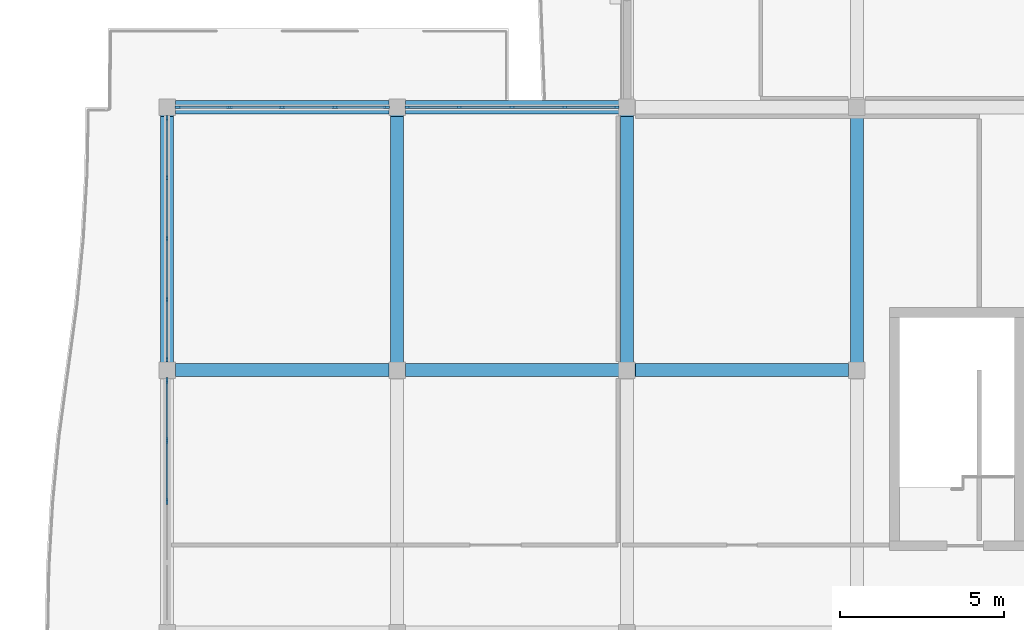
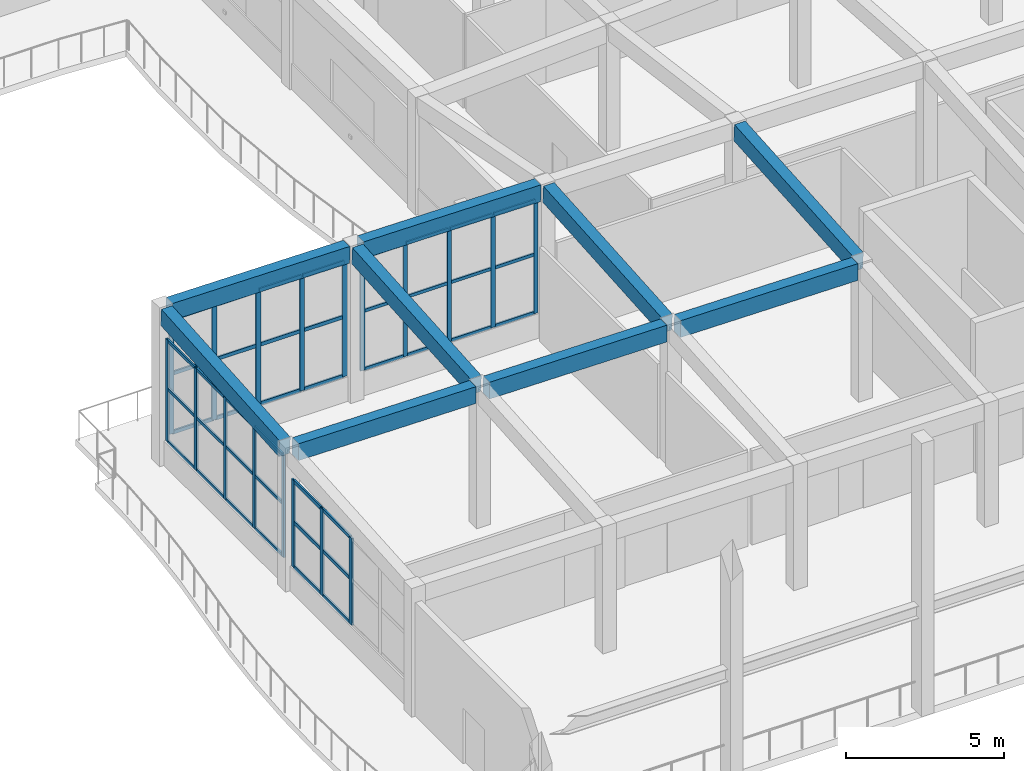
# One storey, part 34 of 89: 60 members, 9 beams, 4 elements without a shape of their own.
"""IFC4 building model written with IfcOpenShell, lengths in metres."""

from ifc_helpers import new_model, si_unit, direction, frame, origin, origin_2d, place, context, subcontext, project, spatial, rectangle, extrude, material, layer, layer_set, material_profile, profile_set, type_object, element, aggregate, save


model = new_model("IFC4")

# Units and contexts
model_context = context("Model", 3, precision=1e-05, world=origin(), true_north=direction((0.0, 1.0)))
body_context = subcontext(model_context, "Body", "Model", "MODEL_VIEW")
ifc_project = project(units=[si_unit("LENGTHUNIT", "METRE"), si_unit("AREAUNIT", "SQUARE_METRE"), si_unit("VOLUMEUNIT", "CUBIC_METRE"), si_unit("PLANEANGLEUNIT", "RADIAN"), si_unit("MASSUNIT", "GRAM", prefix="KILO")], contexts=[model_context])

# Site, building, storey
site_placement = place(None, origin())
site = spatial("IfcSite", under=ifc_project, at=site_placement, CompositionType="ELEMENT")
building_placement = place(site_placement, origin())
building = spatial("IfcBuilding", under=site, at=building_placement, Name="Tonlespit Floodbar School", CompositionType="ELEMENT")
storey_placement = place(building_placement, frame((0.0, 0.0, 4.5)))
storey = spatial("IfcBuildingStorey", under=building, at=storey_placement, Name="L01", CompositionType="ELEMENT", Elevation=4.5)

# Beams
ifc_material_1 = material(Name="Concrete C40/50", Category="concrete")
ifc_material_profile_1 = material_profile(ifc_material_1, rectangle(XDim=0.39990234375, YDim=0.64990234375, at=origin_2d()), Name="RC 400x650")
ifc_profile_set_1 = profile_set([ifc_material_profile_1], Name="Concrete C40/50")
beam_type = type_object("IfcBeamType", Name="Beam_RC_400x650", PredefinedType="BEAM", material=ifc_profile_set_1)
for number, where, z_axis, x_axis, name in (
    (1, (134.25, 72.0, 5.21337890625), (0.999955563291, 0.0, -0.009427165204), (0.0, 1.0, 0.0), "L01 girder 0589"),
    (2, (141.25, 72.0, 5.1474609375), (0.999955563291, 0.0, -0.009427165204), (0.0, 1.0, 0.0), "L01 girder 0590"),
    (3, (148.25, 72.0, 5.08154296875), (0.999955916639, 0.0, -0.009389610095), (0.0, 1.0, 0.0), "L01 girder 0591"),
    (4, (134.25, 80.0, 5.798583984375), (0.999955916639, 0.0, -0.009389610095), (0.0, 1.0, 0.0), "L01 girder 0598"),
    (5, (141.25, 80.0, 5.73291015625), (0.999955563291, 0.0, -0.009427165204), (0.0, 1.0, 0.0), "L01 girder 0599"),
):
    element("IfcBeam", number, at=place(storey_placement, frame(where, z_axis=z_axis, x_axis=x_axis)), inside=storey, type_object=beam_type, Name=name, PredefinedType="BEAM", context=body_context, shape_type="SweptSolid", body=[
        extrude(rectangle(XDim=0.39990234375, YDim=0.64990234375, at=origin_2d()), origin(), (0.0, 0.0, 1.0), 6.500244140625),
    ])
for number, where, z_axis, x_axis, name in (
    (6, (134.0, 72.25, 5.23388671875), (0.0, 0.997333262526, 0.072981939263), (-1.0, 0.0, 0.0), "L01 girder 0747"),
    (7, (141.0, 72.25, 5.168212890625), (0.0, 0.997335625069, 0.072949646795), (-1.0, 0.0, 0.0), "L01 girder 0751"),
    (8, (148.0, 72.25, 5.102294921875), (0.0, 0.997335625069, 0.072949646795), (-1.0, 0.0, 0.0), "L01 girder 0755"),
    (9, (155.0, 72.25, 5.036376953125), (0.0, 0.997333262526, 0.072981939263), (-1.0, 0.0, 0.0), "L01 girder 0762"),
):
    element("IfcBeam", number, at=place(storey_placement, frame(where, z_axis=z_axis, x_axis=x_axis)), inside=storey, type_object=beam_type, Name=name, PredefinedType="BEAM", context=body_context, shape_type="SweptSolid", body=[
        extrude(rectangle(XDim=0.39990234375, YDim=0.64990234375, at=origin_2d()), origin(), (0.0, 0.0, 1.0), 7.52001953125),
    ])

# Curtain wall, members
ifc_material_2 = material(Name="Anodised Aluminium", Category="aluminium")
ifc_layer_1 = layer(ifc_material_2, 0.159912109375)
ifc_layer_set_1 = layer_set([ifc_layer_1], Name="Anodised Aluminium")
curtain_wall_type_1 = type_object("IfcCurtainWallType", Name="CurtainWall_7400x3950", PredefinedType="NOTDEFINED", material=ifc_layer_set_1)
curtain_wall_1_placement = place(storey_placement, origin())
curtain_wall_1 = element("IfcCurtainWall", 10, at=curtain_wall_1_placement, inside=storey, type_object=curtain_wall_type_1, Name="L01 unitised curtain wall 0336", PredefinedType="NOTDEFINED")
ifc_material_profile_2 = material_profile(ifc_material_2, rectangle(XDim=0.06494140625, YDim=0.14990234375, at=origin_2d()), Name="ALU M65x150")
ifc_profile_set_2 = profile_set([ifc_material_profile_2], Name="Anodised Aluminium")
member_type_1 = type_object("IfcMemberType", Name="CW_Mullion_65x150", PredefinedType="MULLION", material=ifc_profile_set_2)
member_1_placement = place(storey_placement, frame((134.0, 72.322509765625, 0.949951171875), z_axis=(0.0, 0.0, 1.0), x_axis=(-1.0, 0.0, 0.0)))
member_1 = element("IfcMember", 11, at=member_1_placement, type_object=member_type_1, Name="CW-55 mullion 1", PredefinedType="MULLION", context=body_context, shape_type="SweptSolid", body=[
    extrude(rectangle(XDim=0.06494140625, YDim=0.14990234375, at=origin_2d()), origin(), (0.0, 0.0, 1.0), 3.958984375),
])
member_2_placement = place(storey_placement, frame((134.0, 74.14501953125, 0.949951171875), z_axis=(0.0, 0.0, 1.0), x_axis=(-1.0, 0.0, 0.0)))
member_2 = element("IfcMember", 12, at=member_2_placement, type_object=member_type_1, Name="CW-55 mullion 2", PredefinedType="MULLION", context=body_context, shape_type="SweptSolid", body=[
    extrude(rectangle(XDim=0.06494140625, YDim=0.14990234375, at=origin_2d()), origin(), (0.0, 0.0, 1.0), 3.958984375),
])
member_3_placement = place(storey_placement, frame((134.0, 76.0, 0.949951171875), z_axis=(0.0, 0.0, 1.0), x_axis=(-1.0, 0.0, 0.0)))
member_3 = element("IfcMember", 13, at=member_3_placement, type_object=member_type_1, Name="CW-55 mullion 3", PredefinedType="MULLION", context=body_context, shape_type="SweptSolid", body=[
    extrude(rectangle(XDim=0.06494140625, YDim=0.14990234375, at=origin_2d()), origin(), (0.0, 0.0, 1.0), 3.958984375),
])
member_4_placement = place(storey_placement, frame((134.0, 77.85498046875, 0.949951171875), z_axis=(0.0, 0.0, 1.0), x_axis=(-1.0, 0.0, 0.0)))
member_4 = element("IfcMember", 14, at=member_4_placement, type_object=member_type_1, Name="CW-55 mullion 4", PredefinedType="MULLION", context=body_context, shape_type="SweptSolid", body=[
    extrude(rectangle(XDim=0.06494140625, YDim=0.14990234375, at=origin_2d()), origin(), (0.0, 0.0, 1.0), 3.958984375),
])
member_5_placement = place(storey_placement, frame((134.0, 79.677490234375, 0.949951171875), z_axis=(0.0, 0.0, 1.0), x_axis=(-1.0, 0.0, 0.0)))
member_5 = element("IfcMember", 15, at=member_5_placement, type_object=member_type_1, Name="CW-55 mullion 5", PredefinedType="MULLION", context=body_context, shape_type="SweptSolid", body=[
    extrude(rectangle(XDim=0.06494140625, YDim=0.14990234375, at=origin_2d()), origin(), (0.0, 0.0, 1.0), 3.958984375),
])

ifc_layer_2 = layer(ifc_material_2, 0.159912109375)
ifc_layer_set_2 = layer_set([ifc_layer_2], Name="Anodised Aluminium")
curtain_wall_type_2 = type_object("IfcCurtainWallType", Name="CurtainWall_6400x4400", PredefinedType="NOTDEFINED", material=ifc_layer_set_2)
curtain_wall_2_placement = place(storey_placement, origin())
curtain_wall_2 = element("IfcCurtainWall", 16, at=curtain_wall_2_placement, inside=storey, type_object=curtain_wall_type_2, Name="L01 unitised curtain wall 0338", PredefinedType="NOTDEFINED")
member_6_placement = place(storey_placement, frame((141.322509765625, 80.0, 0.949951171875), z_axis=(0.0, 0.0, 1.0), x_axis=(0.0, 1.0, 0.0)))
member_6 = element("IfcMember", 17, at=member_6_placement, type_object=member_type_1, Name="CW-57 mullion 1", PredefinedType="MULLION", context=body_context, shape_type="SweptSolid", body=[
    extrude(rectangle(XDim=0.06494140625, YDim=0.14990234375, at=origin_2d()), origin(), (0.0, 0.0, 1.0), 4.396728515625),
])
member_7_placement = place(storey_placement, frame((142.89501953125, 80.0, 0.949951171875), z_axis=(0.0, 0.0, 1.0), x_axis=(0.0, 1.0, 0.0)))
member_7 = element("IfcMember", 18, at=member_7_placement, type_object=member_type_1, Name="CW-57 mullion 2", PredefinedType="MULLION", context=body_context, shape_type="SweptSolid", body=[
    extrude(rectangle(XDim=0.06494140625, YDim=0.14990234375, at=origin_2d()), origin(), (0.0, 0.0, 1.0), 4.396728515625),
])
member_8_placement = place(storey_placement, frame((144.5, 80.0, 0.949951171875), z_axis=(0.0, 0.0, 1.0), x_axis=(0.0, 1.0, 0.0)))
member_8 = element("IfcMember", 19, at=member_8_placement, type_object=member_type_1, Name="CW-57 mullion 3", PredefinedType="MULLION", context=body_context, shape_type="SweptSolid", body=[
    extrude(rectangle(XDim=0.06494140625, YDim=0.14990234375, at=origin_2d()), origin(), (0.0, 0.0, 1.0), 4.396728515625),
])
member_9_placement = place(storey_placement, frame((146.10498046875, 80.0, 0.949951171875), z_axis=(0.0, 0.0, 1.0), x_axis=(0.0, 1.0, 0.0)))
member_9 = element("IfcMember", 20, at=member_9_placement, type_object=member_type_1, Name="CW-57 mullion 4", PredefinedType="MULLION", context=body_context, shape_type="SweptSolid", body=[
    extrude(rectangle(XDim=0.06494140625, YDim=0.14990234375, at=origin_2d()), origin(), (0.0, 0.0, 1.0), 4.396728515625),
])
member_10_placement = place(storey_placement, frame((147.677490234375, 80.0, 0.949951171875), z_axis=(0.0, 0.0, 1.0), x_axis=(0.0, 1.0, 0.0)))
member_10 = element("IfcMember", 21, at=member_10_placement, type_object=member_type_1, Name="CW-57 mullion 5", PredefinedType="MULLION", context=body_context, shape_type="SweptSolid", body=[
    extrude(rectangle(XDim=0.06494140625, YDim=0.14990234375, at=origin_2d()), origin(), (0.0, 0.0, 1.0), 4.396728515625),
])

ifc_layer_3 = layer(ifc_material_2, 0.159912109375)
ifc_layer_set_3 = layer_set([ifc_layer_3], Name="Anodised Aluminium")
curtain_wall_type_3 = type_object("IfcCurtainWallType", Name="CurtainWall_7400x3350", PredefinedType="NOTDEFINED", material=ifc_layer_set_3)
curtain_wall_3_placement = place(storey_placement, origin())
curtain_wall_3 = element("IfcCurtainWall", 22, at=curtain_wall_3_placement, inside=storey, type_object=curtain_wall_type_3, Name="L01 unitised curtain wall 0335", PredefinedType="NOTDEFINED")
ifc_material_profile_3 = material_profile(ifc_material_2, rectangle(XDim=0.06494140625, YDim=0.179931640625, at=origin_2d()), Name="ALU M65x180")
ifc_profile_set_3 = profile_set([ifc_material_profile_3], Name="Anodised Aluminium")
member_type_2 = type_object("IfcMemberType", Name="CW_Mullion_65x180", PredefinedType="MULLION", material=ifc_profile_set_3)
member_11_placement = place(storey_placement, frame((134.0, 68.0, 0.949951171875), z_axis=(0.0, 0.0, 1.0), x_axis=(-1.0, 0.0, 0.0)))
member_11 = element("IfcMember", 23, at=member_11_placement, type_object=member_type_2, Name="CW-54 mullion 3", PredefinedType="MULLION", context=body_context, shape_type="SweptSolid", body=[
    extrude(rectangle(XDim=0.06494140625, YDim=0.179931640625, at=origin_2d()), origin(), (0.0, 0.0, 1.0), 3.373779296875),
])
member_12_placement = place(storey_placement, frame((134.0, 69.85498046875, 0.949951171875), z_axis=(0.0, 0.0, 1.0), x_axis=(-1.0, 0.0, 0.0)))
member_12 = element("IfcMember", 24, at=member_12_placement, type_object=member_type_2, Name="CW-54 mullion 4", PredefinedType="MULLION", context=body_context, shape_type="SweptSolid", body=[
    extrude(rectangle(XDim=0.06494140625, YDim=0.179931640625, at=origin_2d()), origin(), (0.0, 0.0, 1.0), 3.373779296875),
])
member_13_placement = place(storey_placement, frame((134.0, 71.677490234375, 0.949951171875), z_axis=(0.0, 0.0, 1.0), x_axis=(-1.0, 0.0, 0.0)))
member_13 = element("IfcMember", 25, at=member_13_placement, type_object=member_type_2, Name="CW-54 mullion 5", PredefinedType="MULLION", context=body_context, shape_type="SweptSolid", body=[
    extrude(rectangle(XDim=0.06494140625, YDim=0.179931640625, at=origin_2d()), origin(), (0.0, 0.0, 1.0), 3.373779296875),
])

ifc_layer_4 = layer(ifc_material_2, 0.159912109375)
ifc_layer_set_4 = layer_set([ifc_layer_4], Name="Anodised Aluminium")
curtain_wall_type_4 = type_object("IfcCurtainWallType", Name="CurtainWall_6400x4450", PredefinedType="NOTDEFINED", material=ifc_layer_set_4)
curtain_wall_4_placement = place(storey_placement, origin())
curtain_wall_4 = element("IfcCurtainWall", 26, at=curtain_wall_4_placement, inside=storey, type_object=curtain_wall_type_4, Name="L01 unitised curtain wall 0337", PredefinedType="NOTDEFINED")
member_14_placement = place(storey_placement, frame((134.322509765625, 80.0, 0.949951171875), z_axis=(0.0, 0.0, 1.0), x_axis=(0.0, 1.0, 0.0)))
member_14 = element("IfcMember", 27, at=member_14_placement, type_object=member_type_2, Name="CW-56 mullion 1", PredefinedType="MULLION", context=body_context, shape_type="SweptSolid", body=[
    extrude(rectangle(XDim=0.06494140625, YDim=0.179931640625, at=origin_2d()), origin(), (0.0, 0.0, 1.0), 4.462646484375),
])
member_15_placement = place(storey_placement, frame((135.89501953125, 80.0, 0.949951171875), z_axis=(0.0, 0.0, 1.0), x_axis=(0.0, 1.0, 0.0)))
member_15 = element("IfcMember", 28, at=member_15_placement, type_object=member_type_2, Name="CW-56 mullion 2", PredefinedType="MULLION", context=body_context, shape_type="SweptSolid", body=[
    extrude(rectangle(XDim=0.06494140625, YDim=0.179931640625, at=origin_2d()), origin(), (0.0, 0.0, 1.0), 4.462646484375),
])
member_16_placement = place(storey_placement, frame((137.5, 80.0, 0.949951171875), z_axis=(0.0, 0.0, 1.0), x_axis=(0.0, 1.0, 0.0)))
member_16 = element("IfcMember", 29, at=member_16_placement, type_object=member_type_2, Name="CW-56 mullion 3", PredefinedType="MULLION", context=body_context, shape_type="SweptSolid", body=[
    extrude(rectangle(XDim=0.06494140625, YDim=0.179931640625, at=origin_2d()), origin(), (0.0, 0.0, 1.0), 4.462646484375),
])
member_17_placement = place(storey_placement, frame((139.10498046875, 80.0, 0.949951171875), z_axis=(0.0, 0.0, 1.0), x_axis=(0.0, 1.0, 0.0)))
member_17 = element("IfcMember", 30, at=member_17_placement, type_object=member_type_2, Name="CW-56 mullion 4", PredefinedType="MULLION", context=body_context, shape_type="SweptSolid", body=[
    extrude(rectangle(XDim=0.06494140625, YDim=0.179931640625, at=origin_2d()), origin(), (0.0, 0.0, 1.0), 4.462646484375),
])
member_18_placement = place(storey_placement, frame((140.677490234375, 80.0, 0.949951171875), z_axis=(0.0, 0.0, 1.0), x_axis=(0.0, 1.0, 0.0)))
member_18 = element("IfcMember", 31, at=member_18_placement, type_object=member_type_2, Name="CW-56 mullion 5", PredefinedType="MULLION", context=body_context, shape_type="SweptSolid", body=[
    extrude(rectangle(XDim=0.06494140625, YDim=0.179931640625, at=origin_2d()), origin(), (0.0, 0.0, 1.0), 4.462646484375),
])

# Member
ifc_material_profile_4 = material_profile(ifc_material_2, rectangle(XDim=0.06494140625, YDim=0.1201171875, at=origin_2d()), Name="ALU T65x120")
ifc_profile_set_4 = profile_set([ifc_material_profile_4], Name="Anodised Aluminium")
member_type_3 = type_object("IfcMemberType", Name="CW_Transom_65x120", PredefinedType="USERDEFINED", material=ifc_profile_set_4)
member_19_placement = place(storey_placement, frame((134.0, 72.35498046875, 0.982421875), z_axis=(0.0, 1.0, 0.0), x_axis=(-1.0, 0.0, 0.0)))
member_19 = element("IfcMember", 32, at=member_19_placement, type_object=member_type_3, Name="CW-55 transom 1.1", ObjectType="TRANSOM", PredefinedType="USERDEFINED", context=body_context, shape_type="SweptSolid", body=[
    extrude(rectangle(XDim=0.06494140625, YDim=0.1201171875, at=origin_2d()), origin(), (0.0, 0.0, 1.0), 1.757568359375),
])

member_20_placement = place(storey_placement, frame((134.0, 72.35498046875, 3.0087890625), z_axis=(0.0, 1.0, 0.0), x_axis=(-1.0, 0.0, 0.0)))
member_20 = element("IfcMember", 33, at=member_20_placement, type_object=member_type_3, Name="CW-55 transom 1.2", ObjectType="TRANSOM", PredefinedType="USERDEFINED", context=body_context, shape_type="SweptSolid", body=[
    extrude(rectangle(XDim=0.06494140625, YDim=0.1201171875, at=origin_2d()), origin(), (0.0, 0.0, 1.0), 1.757568359375),
])

member_21_placement = place(storey_placement, frame((134.0, 72.35498046875, 4.87646484375), z_axis=(0.0, 1.0, 0.0), x_axis=(-1.0, 0.0, 0.0)))
member_21 = element("IfcMember", 34, at=member_21_placement, type_object=member_type_3, Name="CW-55 transom 1.3", ObjectType="TRANSOM", PredefinedType="USERDEFINED", context=body_context, shape_type="SweptSolid", body=[
    extrude(rectangle(XDim=0.06494140625, YDim=0.1201171875, at=origin_2d()), origin(), (0.0, 0.0, 1.0), 1.757568359375),
])

member_22_placement = place(storey_placement, frame((134.0, 74.177490234375, 0.982421875), z_axis=(0.0, 1.0, 0.0), x_axis=(-1.0, 0.0, 0.0)))
member_22 = element("IfcMember", 35, at=member_22_placement, type_object=member_type_3, Name="CW-55 transom 2.1", ObjectType="TRANSOM", PredefinedType="USERDEFINED", context=body_context, shape_type="SweptSolid", body=[
    extrude(rectangle(XDim=0.06494140625, YDim=0.1201171875, at=origin_2d()), origin(), (0.0, 0.0, 1.0), 1.7900390625),
])

member_23_placement = place(storey_placement, frame((134.0, 74.177490234375, 3.0087890625), z_axis=(0.0, 1.0, 0.0), x_axis=(-1.0, 0.0, 0.0)))
member_23 = element("IfcMember", 36, at=member_23_placement, type_object=member_type_3, Name="CW-55 transom 2.2", ObjectType="TRANSOM", PredefinedType="USERDEFINED", context=body_context, shape_type="SweptSolid", body=[
    extrude(rectangle(XDim=0.06494140625, YDim=0.1201171875, at=origin_2d()), origin(), (0.0, 0.0, 1.0), 1.7900390625),
])

member_24_placement = place(storey_placement, frame((134.0, 74.177490234375, 4.87646484375), z_axis=(0.0, 1.0, 0.0), x_axis=(-1.0, 0.0, 0.0)))
member_24 = element("IfcMember", 37, at=member_24_placement, type_object=member_type_3, Name="CW-55 transom 2.3", ObjectType="TRANSOM", PredefinedType="USERDEFINED", context=body_context, shape_type="SweptSolid", body=[
    extrude(rectangle(XDim=0.06494140625, YDim=0.1201171875, at=origin_2d()), origin(), (0.0, 0.0, 1.0), 1.7900390625),
])

member_25_placement = place(storey_placement, frame((134.0, 76.032470703125, 0.982421875), z_axis=(0.0, 1.0, 0.0), x_axis=(-1.0, 0.0, 0.0)))
member_25 = element("IfcMember", 38, at=member_25_placement, type_object=member_type_3, Name="CW-55 transom 3.1", ObjectType="TRANSOM", PredefinedType="USERDEFINED", context=body_context, shape_type="SweptSolid", body=[
    extrude(rectangle(XDim=0.06494140625, YDim=0.1201171875, at=origin_2d()), origin(), (0.0, 0.0, 1.0), 1.7900390625),
])

member_26_placement = place(storey_placement, frame((134.0, 76.032470703125, 3.0087890625), z_axis=(0.0, 1.0, 0.0), x_axis=(-1.0, 0.0, 0.0)))
member_26 = element("IfcMember", 39, at=member_26_placement, type_object=member_type_3, Name="CW-55 transom 3.2", ObjectType="TRANSOM", PredefinedType="USERDEFINED", context=body_context, shape_type="SweptSolid", body=[
    extrude(rectangle(XDim=0.06494140625, YDim=0.1201171875, at=origin_2d()), origin(), (0.0, 0.0, 1.0), 1.7900390625),
])

member_27_placement = place(storey_placement, frame((134.0, 76.032470703125, 4.87646484375), z_axis=(0.0, 1.0, 0.0), x_axis=(-1.0, 0.0, 0.0)))
member_27 = element("IfcMember", 40, at=member_27_placement, type_object=member_type_3, Name="CW-55 transom 3.3", ObjectType="TRANSOM", PredefinedType="USERDEFINED", context=body_context, shape_type="SweptSolid", body=[
    extrude(rectangle(XDim=0.06494140625, YDim=0.1201171875, at=origin_2d()), origin(), (0.0, 0.0, 1.0), 1.7900390625),
])

member_28_placement = place(storey_placement, frame((134.0, 77.887451171875, 0.982421875), z_axis=(0.0, 1.0, 0.0), x_axis=(-1.0, 0.0, 0.0)))
member_28 = element("IfcMember", 41, at=member_28_placement, type_object=member_type_3, Name="CW-55 transom 4.1", ObjectType="TRANSOM", PredefinedType="USERDEFINED", context=body_context, shape_type="SweptSolid", body=[
    extrude(rectangle(XDim=0.06494140625, YDim=0.1201171875, at=origin_2d()), origin(), (0.0, 0.0, 1.0), 1.757568359375),
])

member_29_placement = place(storey_placement, frame((134.0, 77.887451171875, 3.0087890625), z_axis=(0.0, 1.0, 0.0), x_axis=(-1.0, 0.0, 0.0)))
member_29 = element("IfcMember", 42, at=member_29_placement, type_object=member_type_3, Name="CW-55 transom 4.2", ObjectType="TRANSOM", PredefinedType="USERDEFINED", context=body_context, shape_type="SweptSolid", body=[
    extrude(rectangle(XDim=0.06494140625, YDim=0.1201171875, at=origin_2d()), origin(), (0.0, 0.0, 1.0), 1.757568359375),
])

member_30_placement = place(storey_placement, frame((134.0, 77.887451171875, 4.87646484375), z_axis=(0.0, 1.0, 0.0), x_axis=(-1.0, 0.0, 0.0)))
member_30 = element("IfcMember", 43, at=member_30_placement, type_object=member_type_3, Name="CW-55 transom 4.3", ObjectType="TRANSOM", PredefinedType="USERDEFINED", context=body_context, shape_type="SweptSolid", body=[
    extrude(rectangle(XDim=0.06494140625, YDim=0.1201171875, at=origin_2d()), origin(), (0.0, 0.0, 1.0), 1.757568359375),
])

aggregate(curtain_wall_1, [member_1, member_2, member_3, member_4, member_5, member_19, member_20, member_21, member_22, member_23, member_24, member_25, member_26, member_27, member_28, member_29, member_30])

member_31_placement = place(storey_placement, frame((141.35498046875, 80.0, 0.982421875), z_axis=(1.0, 0.0, 0.0), x_axis=(0.0, 1.0, 0.0)))
member_31 = element("IfcMember", 44, at=member_31_placement, type_object=member_type_3, Name="CW-57 transom 1.1", ObjectType="TRANSOM", PredefinedType="USERDEFINED", context=body_context, shape_type="SweptSolid", body=[
    extrude(rectangle(XDim=0.06494140625, YDim=0.1201171875, at=origin_2d()), origin(), (0.0, 0.0, 1.0), 1.507568359375),
])

member_32_placement = place(storey_placement, frame((141.35498046875, 80.0, 3.236328125), z_axis=(1.0, 0.0, 0.0), x_axis=(0.0, 1.0, 0.0)))
member_32 = element("IfcMember", 45, at=member_32_placement, type_object=member_type_3, Name="CW-57 transom 1.2", ObjectType="TRANSOM", PredefinedType="USERDEFINED", context=body_context, shape_type="SweptSolid", body=[
    extrude(rectangle(XDim=0.06494140625, YDim=0.1201171875, at=origin_2d()), origin(), (0.0, 0.0, 1.0), 1.507568359375),
])

member_33_placement = place(storey_placement, frame((141.35498046875, 80.0, 5.314208984375), z_axis=(1.0, 0.0, 0.0), x_axis=(0.0, 1.0, 0.0)))
member_33 = element("IfcMember", 46, at=member_33_placement, type_object=member_type_3, Name="CW-57 transom 1.3", ObjectType="TRANSOM", PredefinedType="USERDEFINED", context=body_context, shape_type="SweptSolid", body=[
    extrude(rectangle(XDim=0.06494140625, YDim=0.1201171875, at=origin_2d()), origin(), (0.0, 0.0, 1.0), 1.507568359375),
])

member_34_placement = place(storey_placement, frame((142.927490234375, 80.0, 0.982421875), z_axis=(1.0, 0.0, 0.0), x_axis=(0.0, 1.0, 0.0)))
member_34 = element("IfcMember", 47, at=member_34_placement, type_object=member_type_3, Name="CW-57 transom 2.1", ObjectType="TRANSOM", PredefinedType="USERDEFINED", context=body_context, shape_type="SweptSolid", body=[
    extrude(rectangle(XDim=0.06494140625, YDim=0.1201171875, at=origin_2d()), origin(), (0.0, 0.0, 1.0), 1.5400390625),
])

member_35_placement = place(storey_placement, frame((142.927490234375, 80.0, 3.236328125), z_axis=(1.0, 0.0, 0.0), x_axis=(0.0, 1.0, 0.0)))
member_35 = element("IfcMember", 48, at=member_35_placement, type_object=member_type_3, Name="CW-57 transom 2.2", ObjectType="TRANSOM", PredefinedType="USERDEFINED", context=body_context, shape_type="SweptSolid", body=[
    extrude(rectangle(XDim=0.06494140625, YDim=0.1201171875, at=origin_2d()), origin(), (0.0, 0.0, 1.0), 1.5400390625),
])

member_36_placement = place(storey_placement, frame((142.927490234375, 80.0, 5.314208984375), z_axis=(1.0, 0.0, 0.0), x_axis=(0.0, 1.0, 0.0)))
member_36 = element("IfcMember", 49, at=member_36_placement, type_object=member_type_3, Name="CW-57 transom 2.3", ObjectType="TRANSOM", PredefinedType="USERDEFINED", context=body_context, shape_type="SweptSolid", body=[
    extrude(rectangle(XDim=0.06494140625, YDim=0.1201171875, at=origin_2d()), origin(), (0.0, 0.0, 1.0), 1.5400390625),
])

member_37_placement = place(storey_placement, frame((144.532470703125, 80.0, 0.982421875), z_axis=(1.0, 0.0, 0.0), x_axis=(0.0, 1.0, 0.0)))
member_37 = element("IfcMember", 50, at=member_37_placement, type_object=member_type_3, Name="CW-57 transom 3.1", ObjectType="TRANSOM", PredefinedType="USERDEFINED", context=body_context, shape_type="SweptSolid", body=[
    extrude(rectangle(XDim=0.06494140625, YDim=0.1201171875, at=origin_2d()), origin(), (0.0, 0.0, 1.0), 1.5400390625),
])

member_38_placement = place(storey_placement, frame((144.532470703125, 80.0, 3.236328125), z_axis=(1.0, 0.0, 0.0), x_axis=(0.0, 1.0, 0.0)))
member_38 = element("IfcMember", 51, at=member_38_placement, type_object=member_type_3, Name="CW-57 transom 3.2", ObjectType="TRANSOM", PredefinedType="USERDEFINED", context=body_context, shape_type="SweptSolid", body=[
    extrude(rectangle(XDim=0.06494140625, YDim=0.1201171875, at=origin_2d()), origin(), (0.0, 0.0, 1.0), 1.5400390625),
])

member_39_placement = place(storey_placement, frame((144.532470703125, 80.0, 5.314208984375), z_axis=(1.0, 0.0, 0.0), x_axis=(0.0, 1.0, 0.0)))
member_39 = element("IfcMember", 52, at=member_39_placement, type_object=member_type_3, Name="CW-57 transom 3.3", ObjectType="TRANSOM", PredefinedType="USERDEFINED", context=body_context, shape_type="SweptSolid", body=[
    extrude(rectangle(XDim=0.06494140625, YDim=0.1201171875, at=origin_2d()), origin(), (0.0, 0.0, 1.0), 1.5400390625),
])

member_40_placement = place(storey_placement, frame((146.137451171875, 80.0, 0.982421875), z_axis=(1.0, 0.0, 0.0), x_axis=(0.0, 1.0, 0.0)))
member_40 = element("IfcMember", 53, at=member_40_placement, type_object=member_type_3, Name="CW-57 transom 4.1", ObjectType="TRANSOM", PredefinedType="USERDEFINED", context=body_context, shape_type="SweptSolid", body=[
    extrude(rectangle(XDim=0.06494140625, YDim=0.1201171875, at=origin_2d()), origin(), (0.0, 0.0, 1.0), 1.507568359375),
])

member_41_placement = place(storey_placement, frame((146.137451171875, 80.0, 3.236328125), z_axis=(1.0, 0.0, 0.0), x_axis=(0.0, 1.0, 0.0)))
member_41 = element("IfcMember", 54, at=member_41_placement, type_object=member_type_3, Name="CW-57 transom 4.2", ObjectType="TRANSOM", PredefinedType="USERDEFINED", context=body_context, shape_type="SweptSolid", body=[
    extrude(rectangle(XDim=0.06494140625, YDim=0.1201171875, at=origin_2d()), origin(), (0.0, 0.0, 1.0), 1.507568359375),
])

member_42_placement = place(storey_placement, frame((146.137451171875, 80.0, 5.314208984375), z_axis=(1.0, 0.0, 0.0), x_axis=(0.0, 1.0, 0.0)))
member_42 = element("IfcMember", 55, at=member_42_placement, type_object=member_type_3, Name="CW-57 transom 4.3", ObjectType="TRANSOM", PredefinedType="USERDEFINED", context=body_context, shape_type="SweptSolid", body=[
    extrude(rectangle(XDim=0.06494140625, YDim=0.1201171875, at=origin_2d()), origin(), (0.0, 0.0, 1.0), 1.507568359375),
])

aggregate(curtain_wall_2, [member_6, member_7, member_8, member_9, member_10, member_31, member_32, member_33, member_34, member_35, member_36, member_37, member_38, member_39, member_40, member_41, member_42])

ifc_material_profile_5 = material_profile(ifc_material_2, rectangle(XDim=0.06494140625, YDim=0.139892578125, at=origin_2d()), Name="ALU T65x140")
ifc_profile_set_5 = profile_set([ifc_material_profile_5], Name="Anodised Aluminium")
member_type_4 = type_object("IfcMemberType", Name="CW_Transom_65x140", PredefinedType="USERDEFINED", material=ifc_profile_set_5)
member_43_placement = place(storey_placement, frame((134.0, 68.032470703125, 0.982421875), z_axis=(0.0, 1.0, 0.0), x_axis=(-1.0, 0.0, 0.0)))
member_43 = element("IfcMember", 56, at=member_43_placement, type_object=member_type_4, Name="CW-54 transom 3.1", ObjectType="TRANSOM", PredefinedType="USERDEFINED", context=body_context, shape_type="SweptSolid", body=[
    extrude(rectangle(XDim=0.06494140625, YDim=0.139892578125, at=origin_2d()), origin(), (0.0, 0.0, 1.0), 1.7900390625),
])

member_44_placement = place(storey_placement, frame((134.0, 68.032470703125, 2.704345703125), z_axis=(0.0, 1.0, 0.0), x_axis=(-1.0, 0.0, 0.0)))
member_44 = element("IfcMember", 57, at=member_44_placement, type_object=member_type_4, Name="CW-54 transom 3.2", ObjectType="TRANSOM", PredefinedType="USERDEFINED", context=body_context, shape_type="SweptSolid", body=[
    extrude(rectangle(XDim=0.06494140625, YDim=0.139892578125, at=origin_2d()), origin(), (0.0, 0.0, 1.0), 1.7900390625),
])

member_45_placement = place(storey_placement, frame((134.0, 68.032470703125, 4.291259765625), z_axis=(0.0, 1.0, 0.0), x_axis=(-1.0, 0.0, 0.0)))
member_45 = element("IfcMember", 58, at=member_45_placement, type_object=member_type_4, Name="CW-54 transom 3.3", ObjectType="TRANSOM", PredefinedType="USERDEFINED", context=body_context, shape_type="SweptSolid", body=[
    extrude(rectangle(XDim=0.06494140625, YDim=0.139892578125, at=origin_2d()), origin(), (0.0, 0.0, 1.0), 1.7900390625),
])

member_46_placement = place(storey_placement, frame((134.0, 69.887451171875, 0.982421875), z_axis=(0.0, 1.0, 0.0), x_axis=(-1.0, 0.0, 0.0)))
member_46 = element("IfcMember", 59, at=member_46_placement, type_object=member_type_4, Name="CW-54 transom 4.1", ObjectType="TRANSOM", PredefinedType="USERDEFINED", context=body_context, shape_type="SweptSolid", body=[
    extrude(rectangle(XDim=0.06494140625, YDim=0.139892578125, at=origin_2d()), origin(), (0.0, 0.0, 1.0), 1.757568359375),
])

member_47_placement = place(storey_placement, frame((134.0, 69.887451171875, 2.704345703125), z_axis=(0.0, 1.0, 0.0), x_axis=(-1.0, 0.0, 0.0)))
member_47 = element("IfcMember", 60, at=member_47_placement, type_object=member_type_4, Name="CW-54 transom 4.2", ObjectType="TRANSOM", PredefinedType="USERDEFINED", context=body_context, shape_type="SweptSolid", body=[
    extrude(rectangle(XDim=0.06494140625, YDim=0.139892578125, at=origin_2d()), origin(), (0.0, 0.0, 1.0), 1.757568359375),
])

member_48_placement = place(storey_placement, frame((134.0, 69.887451171875, 4.291259765625), z_axis=(0.0, 1.0, 0.0), x_axis=(-1.0, 0.0, 0.0)))
member_48 = element("IfcMember", 61, at=member_48_placement, type_object=member_type_4, Name="CW-54 transom 4.3", ObjectType="TRANSOM", PredefinedType="USERDEFINED", context=body_context, shape_type="SweptSolid", body=[
    extrude(rectangle(XDim=0.06494140625, YDim=0.139892578125, at=origin_2d()), origin(), (0.0, 0.0, 1.0), 1.757568359375),
])

aggregate(curtain_wall_3, [member_11, member_12, member_13, member_43, member_44, member_45, member_46, member_47, member_48])

member_49_placement = place(storey_placement, frame((134.35498046875, 80.0, 0.982421875), z_axis=(1.0, 0.0, 0.0), x_axis=(0.0, 1.0, 0.0)))
member_49 = element("IfcMember", 62, at=member_49_placement, type_object=member_type_4, Name="CW-56 transom 1.1", ObjectType="TRANSOM", PredefinedType="USERDEFINED", context=body_context, shape_type="SweptSolid", body=[
    extrude(rectangle(XDim=0.06494140625, YDim=0.139892578125, at=origin_2d()), origin(), (0.0, 0.0, 1.0), 1.507568359375),
])

member_50_placement = place(storey_placement, frame((134.35498046875, 80.0, 3.2705078125), z_axis=(1.0, 0.0, 0.0), x_axis=(0.0, 1.0, 0.0)))
member_50 = element("IfcMember", 63, at=member_50_placement, type_object=member_type_4, Name="CW-56 transom 1.2", ObjectType="TRANSOM", PredefinedType="USERDEFINED", context=body_context, shape_type="SweptSolid", body=[
    extrude(rectangle(XDim=0.06494140625, YDim=0.139892578125, at=origin_2d()), origin(), (0.0, 0.0, 1.0), 1.507568359375),
])

member_51_placement = place(storey_placement, frame((134.35498046875, 80.0, 5.380126953125), z_axis=(1.0, 0.0, 0.0), x_axis=(0.0, 1.0, 0.0)))
member_51 = element("IfcMember", 64, at=member_51_placement, type_object=member_type_4, Name="CW-56 transom 1.3", ObjectType="TRANSOM", PredefinedType="USERDEFINED", context=body_context, shape_type="SweptSolid", body=[
    extrude(rectangle(XDim=0.06494140625, YDim=0.139892578125, at=origin_2d()), origin(), (0.0, 0.0, 1.0), 1.507568359375),
])

member_52_placement = place(storey_placement, frame((135.927490234375, 80.0, 0.982421875), z_axis=(1.0, 0.0, 0.0), x_axis=(0.0, 1.0, 0.0)))
member_52 = element("IfcMember", 65, at=member_52_placement, type_object=member_type_4, Name="CW-56 transom 2.1", ObjectType="TRANSOM", PredefinedType="USERDEFINED", context=body_context, shape_type="SweptSolid", body=[
    extrude(rectangle(XDim=0.06494140625, YDim=0.139892578125, at=origin_2d()), origin(), (0.0, 0.0, 1.0), 1.5400390625),
])

member_53_placement = place(storey_placement, frame((135.927490234375, 80.0, 3.2705078125), z_axis=(1.0, 0.0, 0.0), x_axis=(0.0, 1.0, 0.0)))
member_53 = element("IfcMember", 66, at=member_53_placement, type_object=member_type_4, Name="CW-56 transom 2.2", ObjectType="TRANSOM", PredefinedType="USERDEFINED", context=body_context, shape_type="SweptSolid", body=[
    extrude(rectangle(XDim=0.06494140625, YDim=0.139892578125, at=origin_2d()), origin(), (0.0, 0.0, 1.0), 1.5400390625),
])

member_54_placement = place(storey_placement, frame((135.927490234375, 80.0, 5.380126953125), z_axis=(1.0, 0.0, 0.0), x_axis=(0.0, 1.0, 0.0)))
member_54 = element("IfcMember", 67, at=member_54_placement, type_object=member_type_4, Name="CW-56 transom 2.3", ObjectType="TRANSOM", PredefinedType="USERDEFINED", context=body_context, shape_type="SweptSolid", body=[
    extrude(rectangle(XDim=0.06494140625, YDim=0.139892578125, at=origin_2d()), origin(), (0.0, 0.0, 1.0), 1.5400390625),
])

member_55_placement = place(storey_placement, frame((137.532470703125, 80.0, 0.982421875), z_axis=(1.0, 0.0, 0.0), x_axis=(0.0, 1.0, 0.0)))
member_55 = element("IfcMember", 68, at=member_55_placement, type_object=member_type_4, Name="CW-56 transom 3.1", ObjectType="TRANSOM", PredefinedType="USERDEFINED", context=body_context, shape_type="SweptSolid", body=[
    extrude(rectangle(XDim=0.06494140625, YDim=0.139892578125, at=origin_2d()), origin(), (0.0, 0.0, 1.0), 1.5400390625),
])

member_56_placement = place(storey_placement, frame((137.532470703125, 80.0, 3.2705078125), z_axis=(1.0, 0.0, 0.0), x_axis=(0.0, 1.0, 0.0)))
member_56 = element("IfcMember", 69, at=member_56_placement, type_object=member_type_4, Name="CW-56 transom 3.2", ObjectType="TRANSOM", PredefinedType="USERDEFINED", context=body_context, shape_type="SweptSolid", body=[
    extrude(rectangle(XDim=0.06494140625, YDim=0.139892578125, at=origin_2d()), origin(), (0.0, 0.0, 1.0), 1.5400390625),
])

member_57_placement = place(storey_placement, frame((137.532470703125, 80.0, 5.380126953125), z_axis=(1.0, 0.0, 0.0), x_axis=(0.0, 1.0, 0.0)))
member_57 = element("IfcMember", 70, at=member_57_placement, type_object=member_type_4, Name="CW-56 transom 3.3", ObjectType="TRANSOM", PredefinedType="USERDEFINED", context=body_context, shape_type="SweptSolid", body=[
    extrude(rectangle(XDim=0.06494140625, YDim=0.139892578125, at=origin_2d()), origin(), (0.0, 0.0, 1.0), 1.5400390625),
])

member_58_placement = place(storey_placement, frame((139.137451171875, 80.0, 0.982421875), z_axis=(1.0, 0.0, 0.0), x_axis=(0.0, 1.0, 0.0)))
member_58 = element("IfcMember", 71, at=member_58_placement, type_object=member_type_4, Name="CW-56 transom 4.1", ObjectType="TRANSOM", PredefinedType="USERDEFINED", context=body_context, shape_type="SweptSolid", body=[
    extrude(rectangle(XDim=0.06494140625, YDim=0.139892578125, at=origin_2d()), origin(), (0.0, 0.0, 1.0), 1.507568359375),
])

member_59_placement = place(storey_placement, frame((139.137451171875, 80.0, 3.2705078125), z_axis=(1.0, 0.0, 0.0), x_axis=(0.0, 1.0, 0.0)))
member_59 = element("IfcMember", 72, at=member_59_placement, type_object=member_type_4, Name="CW-56 transom 4.2", ObjectType="TRANSOM", PredefinedType="USERDEFINED", context=body_context, shape_type="SweptSolid", body=[
    extrude(rectangle(XDim=0.06494140625, YDim=0.139892578125, at=origin_2d()), origin(), (0.0, 0.0, 1.0), 1.507568359375),
])

member_60_placement = place(storey_placement, frame((139.137451171875, 80.0, 5.380126953125), z_axis=(1.0, 0.0, 0.0), x_axis=(0.0, 1.0, 0.0)))
member_60 = element("IfcMember", 73, at=member_60_placement, type_object=member_type_4, Name="CW-56 transom 4.3", ObjectType="TRANSOM", PredefinedType="USERDEFINED", context=body_context, shape_type="SweptSolid", body=[
    extrude(rectangle(XDim=0.06494140625, YDim=0.139892578125, at=origin_2d()), origin(), (0.0, 0.0, 1.0), 1.507568359375),
])

aggregate(curtain_wall_4, [member_14, member_15, member_16, member_17, member_18, member_49, member_50, member_51, member_52, member_53, member_54, member_55, member_56, member_57, member_58, member_59, member_60])

save(model, "model.ifc")
